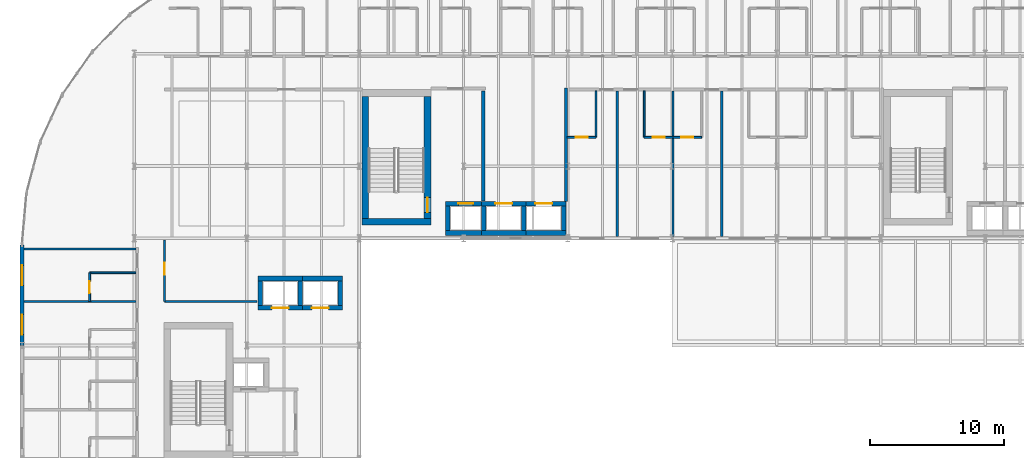
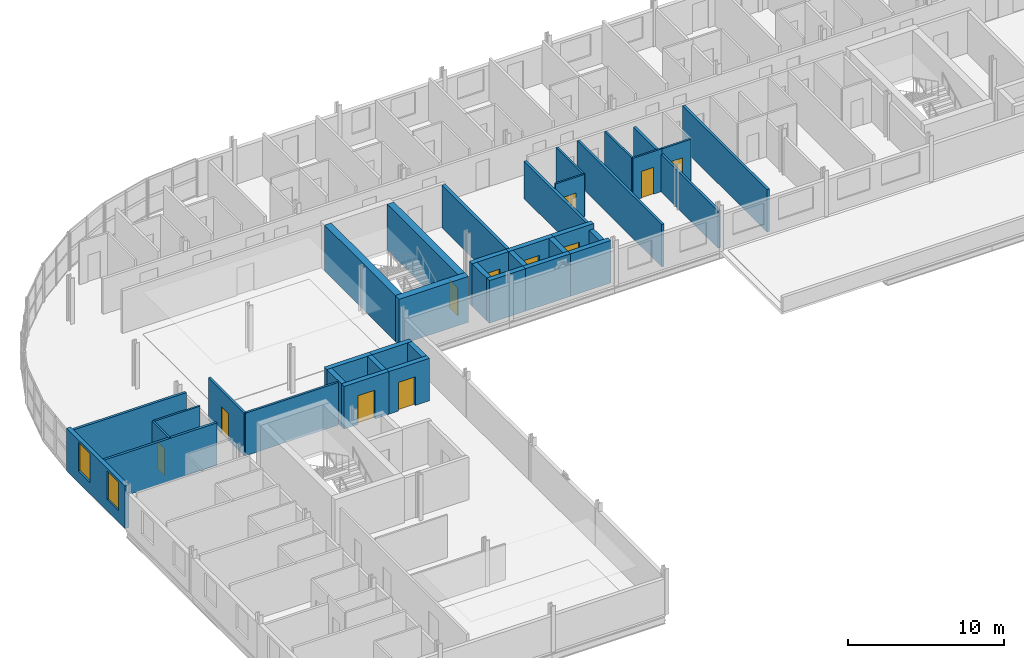
# One storey, part 22 of 36: 37 walls, 11 doors, 2 windows, 13 openings.
"""IFC4 building model written with IfcOpenShell, lengths in metres."""

from ifc_helpers import new_model, si_unit, direction, frame, frame_2d, origin, place, context, subcontext, project, spatial, rectangle, extrude, material, layer, layer_set, type_object, element, fill, save


model = new_model("IFC4")

# Units and contexts
model_context = context("Model", 3, precision=1e-05, world=origin(), true_north=direction((0.0, 1.0)))
body_context = subcontext(model_context, "Body", "Model", "MODEL_VIEW")
ifc_project = project(units=[si_unit("LENGTHUNIT", "METRE"), si_unit("AREAUNIT", "SQUARE_METRE"), si_unit("VOLUMEUNIT", "CUBIC_METRE"), si_unit("PLANEANGLEUNIT", "RADIAN"), si_unit("MASSUNIT", "GRAM", prefix="KILO")], contexts=[model_context])

# Site, building, storey
site_placement = place(None, origin())
site = spatial("IfcSite", under=ifc_project, at=site_placement, CompositionType="ELEMENT")
building_placement = place(site_placement, origin())
building = spatial("IfcBuilding", under=site, at=building_placement, Name="Sefraquen Railside Congress Hotel", CompositionType="ELEMENT")
storey_placement = place(building_placement, frame((0.0, 0.0, 24.60009765625)))
storey = spatial("IfcBuildingStorey", under=building, at=storey_placement, Name="L05", CompositionType="ELEMENT", Elevation=24.60009765625)

# Wall, opening, door
ifc_material_1 = material(Name="Concrete C50/60", Category="concrete")
ifc_layer_1 = layer(ifc_material_1, 0.35009765625)
ifc_layer_set_1 = layer_set([ifc_layer_1], Name="Concrete C50/60")
wall_type_1 = type_object("IfcWallType", Name="TW-CW-350", PredefinedType="SHEAR", material=ifc_layer_set_1)
wall_1_placement = place(storey_placement, frame((31.639892578125, 98.594970703125, 0.0), z_axis=(0.0, 0.0, 1.0), x_axis=(1.0, 0.0, 0.0)))
wall_1 = element("IfcWall", 1, at=wall_1_placement, inside=storey, type_object=wall_type_1, Name="Lift FL-02 shaft wall N L05", PredefinedType="SHEAR", context=body_context, shape_type="SweptSolid", body=[
    extrude(rectangle(XDim=2.690185546875, YDim=0.35009765625, at=frame_2d((1.34521484375, 0.0))), origin(), (0.0, 0.0, 1.0), 3.33984375),
])
opening_1_placement = place(wall_1_placement, frame((0.969970703125, 0.0, 0.0)))
opening_1 = element("IfcOpeningElement", 2, at=opening_1_placement, cuts=wall_1, Name="Opening LD-01", PredefinedType="OPENING", context=body_context, shape_type="SweptSolid", body=[
    extrude(rectangle(XDim=1.10009765625, YDim=2.199951171875, at=frame_2d((0.550048828125, 1.10009765625))), frame((0.0, 0.18505859375, 0.0), z_axis=(0.0, -1.0, 0.0), x_axis=(1.0, 0.0, 0.0)), (0.0, 0.0, 1.0), 0.3701171875),
])
ifc_material_2 = material(Name="Brushed bronze stainless steel", Category="steel")
door_type_1 = type_object("IfcDoorType", Name="TD-LD-01", OperationType="NOTDEFINED", PredefinedType="DOOR", material=ifc_material_2)
door_1_placement = place(opening_1_placement, origin())
door_1 = element("IfcDoor", 3, at=door_1_placement, inside=storey, type_object=door_type_1, Name="Lift landing door FL-02 L05", OperationType="SLIDING_TO_LEFT", OverallHeight=2.199951171875, OverallWidth=1.10009765625, PredefinedType="DOOR", context=body_context, shape_type="SweptSolid", body=[
    extrude(rectangle(XDim=1.10009765625, YDim=2.199951171875, at=frame_2d((0.550048828125, 1.10009765625))), frame((0.0, 0.02490234375, 0.0), z_axis=(0.0, -1.0, 0.0), x_axis=(1.0, 0.0, 0.0)), (0.0, 0.0, 1.0), 0.050048828125),
])
fill(opening_1, door_1)

# Walls
wall_2_placement = place(storey_placement, frame((31.639892578125, 96.405029296875, 0.0), z_axis=(0.0, 0.0, 1.0), x_axis=(1.0, 0.0, 0.0)))
element("IfcWall", 4, at=wall_2_placement, inside=storey, type_object=wall_type_1, Name="Lift FL-02 shaft wall S L05", PredefinedType="SHEAR", context=body_context, shape_type="SweptSolid", body=[
    extrude(rectangle(XDim=2.690185546875, YDim=0.35009765625, at=frame_2d((1.34521484375, 0.0))), origin(), (0.0, 0.0, 1.0), 3.33984375),
])
wall_3_placement = place(storey_placement, frame((31.81494140625, 96.580078125, 0.0), z_axis=(0.0, 0.0, 1.0), x_axis=(0.0, 1.0, 0.0)))
element("IfcWall", 5, at=wall_3_placement, inside=storey, type_object=wall_type_1, Name="Lift FL-02 shaft wall W L05", PredefinedType="SHEAR", context=body_context, shape_type="SweptSolid", body=[
    extrude(rectangle(XDim=1.83984375, YDim=0.35009765625, at=frame_2d((0.919921875, 0.0))), origin(), (0.0, 0.0, 1.0), 3.33984375),
])
wall_4_placement = place(storey_placement, frame((17.6298828125, 92.9951171875, 0.0), z_axis=(0.0, 0.0, 1.0), x_axis=(1.0, 0.0, 0.0)))
element("IfcWall", 6, at=wall_4_placement, inside=storey, type_object=wall_type_1, Name="Lift PL-01 shaft wall N L05", PredefinedType="SHEAR", context=body_context, shape_type="SweptSolid", body=[
    extrude(rectangle(XDim=3.340087890625, YDim=0.35009765625, at=frame_2d((1.669921875, 0.0))), origin(), (0.0, 0.0, 1.0), 3.33984375),
])

# Wall, opening, door
wall_5_placement = place(storey_placement, frame((17.6298828125, 90.804931640625, 0.0), z_axis=(0.0, 0.0, 1.0), x_axis=(1.0, 0.0, 0.0)))
wall_5 = element("IfcWall", 7, at=wall_5_placement, inside=storey, type_object=wall_type_1, Name="Lift PL-01 shaft wall S L05", PredefinedType="SHEAR", context=body_context, shape_type="SweptSolid", body=[
    extrude(rectangle(XDim=3.340087890625, YDim=0.35009765625, at=frame_2d((1.669921875, 0.0))), origin(), (0.0, 0.0, 1.0), 3.33984375),
])
opening_2_placement = place(wall_5_placement, frame((1.044921875, 0.0, 0.0)))
opening_2 = element("IfcOpeningElement", 8, at=opening_2_placement, cuts=wall_5, Name="Opening LD-02", PredefinedType="OPENING", context=body_context, shape_type="SweptSolid", body=[
    extrude(rectangle(XDim=1.25, YDim=2.25, at=frame_2d((0.625, 1.125))), frame((0.0, 0.18505859375, 0.0), z_axis=(0.0, -1.0, 0.0), x_axis=(1.0, 0.0, 0.0)), (0.0, 0.0, 1.0), 0.3701171875),
])
ifc_material_3 = material(Name="Brushed stainless steel", Category="steel")
door_type_2 = type_object("IfcDoorType", Name="TD-LD-02", OperationType="NOTDEFINED", PredefinedType="DOOR", material=ifc_material_3)
door_2_placement = place(opening_2_placement, origin())
door_2 = element("IfcDoor", 9, at=door_2_placement, inside=storey, type_object=door_type_2, Name="Lift landing door PL-01 L05", OperationType="SLIDING_TO_LEFT", OverallHeight=2.25, OverallWidth=1.25, PredefinedType="DOOR", context=body_context, shape_type="SweptSolid", body=[
    extrude(rectangle(XDim=1.25, YDim=2.25, at=frame_2d((0.625, 1.125))), frame((0.0, 0.02490234375, 0.0), z_axis=(0.0, -1.0, 0.0), x_axis=(1.0, 0.0, 0.0)), (0.0, 0.0, 1.0), 0.050048828125),
])
fill(opening_2, door_2)

# Walls
for number, where, z_axis, x_axis, name in (
    (10, (17.804931640625, 90.97998046875, 0.0), (0.0, 0.0, 1.0), (0.0, 1.0, 0.0), "Lift PL-01 shaft wall W L05"),
    (11, (20.794921875, 90.97998046875, 0.0), (0.0, 0.0, 1.0), (0.0, 1.0, 0.0), "Lift PL-01 shaft wall E L05"),
):
    element("IfcWall", number, at=place(storey_placement, frame(where, z_axis=z_axis, x_axis=x_axis)), inside=storey, type_object=wall_type_1, Name=name, PredefinedType="SHEAR", context=body_context, shape_type="SweptSolid", body=[
        extrude(rectangle(XDim=1.840087890625, YDim=0.35009765625, at=frame_2d((0.919921875, 0.0))), origin(), (0.0, 0.0, 1.0), 3.33984375),
    ])
wall_6_placement = place(storey_placement, frame((20.969970703125, 92.9951171875, 0.0), z_axis=(0.0, 0.0, 1.0), x_axis=(1.0, 0.0, 0.0)))
element("IfcWall", 12, at=wall_6_placement, inside=storey, type_object=wall_type_1, Name="Lift PL-02 shaft wall N L05", PredefinedType="SHEAR", context=body_context, shape_type="SweptSolid", body=[
    extrude(rectangle(XDim=2.989990234375, YDim=0.35009765625, at=frame_2d((1.4951171875, 0.0))), origin(), (0.0, 0.0, 1.0), 3.33984375),
])

# Wall, opening, door
wall_7_placement = place(storey_placement, frame((20.969970703125, 90.804931640625, 0.0), z_axis=(0.0, 0.0, 1.0), x_axis=(1.0, 0.0, 0.0)))
wall_7 = element("IfcWall", 13, at=wall_7_placement, inside=storey, type_object=wall_type_1, Name="Lift PL-02 shaft wall S L05", PredefinedType="SHEAR", context=body_context, shape_type="SweptSolid", body=[
    extrude(rectangle(XDim=2.989990234375, YDim=0.35009765625, at=frame_2d((1.4951171875, 0.0))), origin(), (0.0, 0.0, 1.0), 3.33984375),
])
opening_3_placement = place(wall_7_placement, frame((0.695068359375, 0.0, 0.0)))
opening_3 = element("IfcOpeningElement", 14, at=opening_3_placement, cuts=wall_7, Name="Opening LD-02", PredefinedType="OPENING", context=body_context, shape_type="SweptSolid", body=[
    extrude(rectangle(XDim=1.25, YDim=2.25, at=frame_2d((0.625, 1.125))), frame((0.0, 0.18505859375, 0.0), z_axis=(0.0, -1.0, 0.0), x_axis=(1.0, 0.0, 0.0)), (0.0, 0.0, 1.0), 0.3701171875),
])
door_3_placement = place(opening_3_placement, origin())
door_3 = element("IfcDoor", 15, at=door_3_placement, inside=storey, type_object=door_type_2, Name="Lift landing door PL-02 L05", OperationType="SLIDING_TO_LEFT", OverallHeight=2.25, OverallWidth=1.25, PredefinedType="DOOR", context=body_context, shape_type="SweptSolid", body=[
    extrude(rectangle(XDim=1.25, YDim=2.25, at=frame_2d((0.625, 1.125))), frame((0.0, 0.02490234375, 0.0), z_axis=(0.0, -1.0, 0.0), x_axis=(1.0, 0.0, 0.0)), (0.0, 0.0, 1.0), 0.050048828125),
])
fill(opening_3, door_3)

# Wall
wall_8_placement = place(storey_placement, frame((23.784912109375, 90.97998046875, 0.0), z_axis=(0.0, 0.0, 1.0), x_axis=(0.0, 1.0, 0.0)))
element("IfcWall", 16, at=wall_8_placement, inside=storey, type_object=wall_type_1, Name="Lift PL-02 shaft wall E L05", PredefinedType="SHEAR", context=body_context, shape_type="SweptSolid", body=[
    extrude(rectangle(XDim=1.840087890625, YDim=0.35009765625, at=frame_2d((0.919921875, 0.0))), origin(), (0.0, 0.0, 1.0), 3.33984375),
])

# Wall, opening, door
wall_9_placement = place(storey_placement, frame((34.330078125, 98.594970703125, 0.0), z_axis=(0.0, 0.0, 1.0), x_axis=(1.0, 0.0, 0.0)))
wall_9 = element("IfcWall", 17, at=wall_9_placement, inside=storey, type_object=wall_type_1, Name="Lift PL-03 shaft wall N L05", PredefinedType="SHEAR", context=body_context, shape_type="SweptSolid", body=[
    extrude(rectangle(XDim=3.33984375, YDim=0.35009765625, at=frame_2d((1.669921875, 0.0))), origin(), (0.0, 0.0, 1.0), 3.33984375),
])
opening_4_placement = place(wall_9_placement, frame((1.044921875, 0.0, 0.0)))
opening_4 = element("IfcOpeningElement", 18, at=opening_4_placement, cuts=wall_9, Name="Opening LD-02", PredefinedType="OPENING", context=body_context, shape_type="SweptSolid", body=[
    extrude(rectangle(XDim=1.25, YDim=2.25, at=frame_2d((0.625, 1.125))), frame((0.0, 0.18505859375, 0.0), z_axis=(0.0, -1.0, 0.0), x_axis=(1.0, 0.0, 0.0)), (0.0, 0.0, 1.0), 0.3701171875),
])
door_4_placement = place(opening_4_placement, origin())
door_4 = element("IfcDoor", 19, at=door_4_placement, inside=storey, type_object=door_type_2, Name="Lift landing door PL-03 L05", OperationType="SLIDING_TO_LEFT", OverallHeight=2.25, OverallWidth=1.25, PredefinedType="DOOR", context=body_context, shape_type="SweptSolid", body=[
    extrude(rectangle(XDim=1.25, YDim=2.25, at=frame_2d((0.625, 1.125))), frame((0.0, 0.02490234375, 0.0), z_axis=(0.0, -1.0, 0.0), x_axis=(1.0, 0.0, 0.0)), (0.0, 0.0, 1.0), 0.050048828125),
])
fill(opening_4, door_4)

# Walls
wall_10_placement = place(storey_placement, frame((34.330078125, 96.405029296875, 0.0), z_axis=(0.0, 0.0, 1.0), x_axis=(1.0, 0.0, 0.0)))
element("IfcWall", 20, at=wall_10_placement, inside=storey, type_object=wall_type_1, Name="Lift PL-03 shaft wall S L05", PredefinedType="SHEAR", context=body_context, shape_type="SweptSolid", body=[
    extrude(rectangle(XDim=3.33984375, YDim=0.35009765625, at=frame_2d((1.669921875, 0.0))), origin(), (0.0, 0.0, 1.0), 3.33984375),
])
for number, where, z_axis, x_axis, name in (
    (21, (34.5048828125, 96.580078125, 0.0), (0.0, 0.0, 1.0), (0.0, 1.0, 0.0), "Lift PL-03 shaft wall W L05"),
    (22, (37.4951171875, 96.580078125, 0.0), (0.0, 0.0, 1.0), (0.0, 1.0, 0.0), "Lift PL-03 shaft wall E L05"),
):
    element("IfcWall", number, at=place(storey_placement, frame(where, z_axis=z_axis, x_axis=x_axis)), inside=storey, type_object=wall_type_1, Name=name, PredefinedType="SHEAR", context=body_context, shape_type="SweptSolid", body=[
        extrude(rectangle(XDim=1.83984375, YDim=0.35009765625, at=frame_2d((0.919921875, 0.0))), origin(), (0.0, 0.0, 1.0), 3.33984375),
    ])

# Wall, opening, door
wall_11_placement = place(storey_placement, frame((37.669921875, 98.594970703125, 0.0), z_axis=(0.0, 0.0, 1.0), x_axis=(1.0, 0.0, 0.0)))
wall_11 = element("IfcWall", 23, at=wall_11_placement, inside=storey, type_object=wall_type_1, Name="Lift PL-04 shaft wall N L05", PredefinedType="SHEAR", context=body_context, shape_type="SweptSolid", body=[
    extrude(rectangle(XDim=2.989990234375, YDim=0.35009765625, at=frame_2d((1.4951171875, 0.0))), origin(), (0.0, 0.0, 1.0), 3.33984375),
])
opening_5_placement = place(wall_11_placement, frame((0.695068359375, 0.0, 0.0)))
opening_5 = element("IfcOpeningElement", 24, at=opening_5_placement, cuts=wall_11, Name="Opening LD-02", PredefinedType="OPENING", context=body_context, shape_type="SweptSolid", body=[
    extrude(rectangle(XDim=1.25, YDim=2.25, at=frame_2d((0.625, 1.125))), frame((0.0, 0.18505859375, 0.0), z_axis=(0.0, -1.0, 0.0), x_axis=(1.0, 0.0, 0.0)), (0.0, 0.0, 1.0), 0.3701171875),
])
door_5_placement = place(opening_5_placement, origin())
door_5 = element("IfcDoor", 25, at=door_5_placement, inside=storey, type_object=door_type_2, Name="Lift landing door PL-04 L05", OperationType="SLIDING_TO_LEFT", OverallHeight=2.25, OverallWidth=1.25, PredefinedType="DOOR", context=body_context, shape_type="SweptSolid", body=[
    extrude(rectangle(XDim=1.25, YDim=2.25, at=frame_2d((0.625, 1.125))), frame((0.0, 0.02490234375, 0.0), z_axis=(0.0, -1.0, 0.0), x_axis=(1.0, 0.0, 0.0)), (0.0, 0.0, 1.0), 0.050048828125),
])
fill(opening_5, door_5)

# Walls
wall_12_placement = place(storey_placement, frame((37.669921875, 96.405029296875, 0.0), z_axis=(0.0, 0.0, 1.0), x_axis=(1.0, 0.0, 0.0)))
element("IfcWall", 26, at=wall_12_placement, inside=storey, type_object=wall_type_1, Name="Lift PL-04 shaft wall S L05", PredefinedType="SHEAR", context=body_context, shape_type="SweptSolid", body=[
    extrude(rectangle(XDim=2.989990234375, YDim=0.35009765625, at=frame_2d((1.4951171875, 0.0))), origin(), (0.0, 0.0, 1.0), 3.33984375),
])
wall_13_placement = place(storey_placement, frame((40.485107421875, 96.580078125, 0.0), z_axis=(0.0, 0.0, 1.0), x_axis=(0.0, 1.0, 0.0)))
element("IfcWall", 27, at=wall_13_placement, inside=storey, type_object=wall_type_1, Name="Lift PL-04 shaft wall E L05", PredefinedType="SHEAR", context=body_context, shape_type="SweptSolid", body=[
    extrude(rectangle(XDim=1.83984375, YDim=0.35009765625, at=frame_2d((0.919921875, 0.0))), origin(), (0.0, 0.0, 1.0), 2.929931640625),
])
ifc_layer_2 = layer(ifc_material_1, 0.5)
ifc_layer_set_2 = layer_set([ifc_layer_2], Name="Concrete C50/60")
wall_type_2 = type_object("IfcWallType", Name="TW-CW-500", PredefinedType="SHEAR", material=ifc_layer_set_2)
wall_14_placement = place(storey_placement, frame((25.39990234375, 97.25, 0.0), z_axis=(0.0, 0.0, 1.0), x_axis=(1.0, 0.0, 0.0)))
element("IfcWall", 28, at=wall_14_placement, inside=storey, type_object=wall_type_2, Name="Core shear wall ST-H02 S L05", PredefinedType="SHEAR", context=body_context, shape_type="SweptSolid", body=[
    extrude(rectangle(XDim=5.16015625, YDim=0.5, at=frame_2d((2.580078125, 0.0))), origin(), (0.0, 0.0, 1.0), 3.599853515625),
])
wall_15_placement = place(storey_placement, frame((25.64990234375, 97.5, 0.0), z_axis=(0.0, 0.0, 1.0), x_axis=(0.0, 1.0, 0.0)))
element("IfcWall", 29, at=wall_15_placement, inside=storey, type_object=wall_type_2, Name="Core shear wall ST-H02 W L05", PredefinedType="SHEAR", context=body_context, shape_type="SweptSolid", body=[
    extrude(rectangle(XDim=9.112060546875, YDim=0.5, at=frame_2d((4.55615234375, 0.0))), origin(), (0.0, 0.0, 1.0), 3.599853515625),
])

# Wall, opening, door
wall_16_placement = place(storey_placement, frame((30.31005859375, 97.5, 0.0), z_axis=(0.0, 0.0, 1.0), x_axis=(0.0, 1.0, 0.0)))
wall_16 = element("IfcWall", 30, at=wall_16_placement, inside=storey, type_object=wall_type_2, Name="Core shear wall ST-H02 E L05", PredefinedType="SHEAR", context=body_context, shape_type="SweptSolid", body=[
    extrude(rectangle(XDim=9.112060546875, YDim=0.5, at=frame_2d((4.55615234375, 0.0))), origin(), (0.0, 0.0, 1.0), 3.599853515625),
])
opening_6_placement = place(wall_16_placement, frame((0.43994140625, 0.0, 0.0)))
opening_6 = element("IfcOpeningElement", 31, at=opening_6_placement, cuts=wall_16, Name="Opening FD-04", PredefinedType="OPENING", context=body_context, shape_type="SweptSolid", body=[
    extrude(rectangle(XDim=1.10009765625, YDim=2.199951171875, at=frame_2d((0.550048828125, 1.10009765625))), frame((0.0, 0.260009765625, 0.0), z_axis=(0.0, -1.0, 0.0), x_axis=(1.0, 0.0, 0.0)), (0.0, 0.0, 1.0), 0.52001953125),
])
ifc_material_4 = material(Name="Fire-rated steel", Category="steel")
door_type_3 = type_object("IfcDoorType", Name="TD-FD-04", OperationType="NOTDEFINED", PredefinedType="DOOR", material=ifc_material_4)
door_6_placement = place(opening_6_placement, origin())
door_6 = element("IfcDoor", 32, at=door_6_placement, inside=storey, type_object=door_type_3, Name="Pressurized stair ST-H02 fire door L05", OperationType="SINGLE_SWING_LEFT", OverallHeight=2.199951171875, OverallWidth=1.10009765625, PredefinedType="DOOR", context=body_context, shape_type="SweptSolid", body=[
    extrude(rectangle(XDim=1.10009765625, YDim=2.199951171875, at=frame_2d((0.550048828125, 1.10009765625))), frame((0.0, 0.02490234375, 0.0), z_axis=(0.0, -1.0, 0.0), x_axis=(1.0, 0.0, 0.0)), (0.0, 0.0, 1.0), 0.050048828125),
])
fill(opening_6, door_6)

# Wall, openings, windows
ifc_material_5 = material(Name="Ochre Rabat calcarenite limestone and Concrete C40/50 backing", Category="masonry")
ifc_layer_3 = layer(ifc_material_5, 0.300048828125)
ifc_layer_set_3 = layer_set([ifc_layer_3], Name="Ochre Rabat calcarenite limestone and Concrete C40/50 backing")
wall_type_3 = type_object("IfcWallType", Name="TW-EW-300", PredefinedType="STANDARD", material=ifc_layer_set_3)
wall_17_placement = place(storey_placement, frame((0.0, 88.0, 0.0), z_axis=(0.0, 0.0, 1.0), x_axis=(0.0, 1.0, 0.0)))
wall_17 = element("IfcWall", 33, at=wall_17_placement, inside=storey, type_object=wall_type_3, Name="Hotel L05 West Forecourt facade wall", PredefinedType="STANDARD", context=body_context, shape_type="SweptSolid", body=[
    extrude(rectangle(XDim=7.5, YDim=0.300048828125, at=frame_2d((3.75, 0.0))), origin(), (0.0, 0.0, 1.0), 3.33984375),
])
opening_7_placement = place(wall_17_placement, frame((0.805908203125, 0.0, 0.89990234375)))
opening_7 = element("IfcOpeningElement", 34, at=opening_7_placement, cuts=wall_17, Name="Opening WN-17", PredefinedType="OPENING", context=body_context, shape_type="SweptSolid", body=[
    extrude(rectangle(XDim=1.5, YDim=2.260009765625, at=frame_2d((0.75, 1.1298828125))), frame((0.0, 0.159912109375, 0.0), z_axis=(0.0, -1.0, 0.0), x_axis=(1.0, 0.0, 0.0)), (0.0, 0.0, 1.0), 0.320068359375),
])
opening_8_placement = place(wall_17_placement, frame((4.488037109375, 0.0, 0.89990234375)))
opening_8 = element("IfcOpeningElement", 35, at=opening_8_placement, cuts=wall_17, Name="Opening WN-18", PredefinedType="OPENING", context=body_context, shape_type="SweptSolid", body=[
    extrude(rectangle(XDim=1.5, YDim=2.260009765625, at=frame_2d((0.75, 1.1298828125))), frame((0.0, 0.159912109375, 0.0), z_axis=(0.0, -1.0, 0.0), x_axis=(1.0, 0.0, 0.0)), (0.0, 0.0, 1.0), 0.320068359375),
])
ifc_material_6 = material(Name="Solar-control low-E double glazing in bronze-anodised frame", Category="glass")
window_type_1 = type_object("IfcWindowType", Name="TWN-W-17", PartitioningType="DOUBLE_PANEL_VERTICAL", PredefinedType="WINDOW", material=ifc_material_6)
window_1_placement = place(opening_7_placement, origin())
window_1 = element("IfcWindow", 36, at=window_1_placement, inside=storey, type_object=window_type_1, Name="Guest room west window SP-L05-RM-046", OverallHeight=2.260009765625, OverallWidth=1.5, PartitioningType="DOUBLE_PANEL_VERTICAL", PredefinedType="WINDOW", context=body_context, shape_type="SweptSolid", body=[
    extrude(rectangle(XDim=1.5, YDim=2.260009765625, at=frame_2d((0.75, 1.1298828125))), frame((0.0, 0.030029296875, 0.0), z_axis=(0.0, -1.0, 0.0), x_axis=(1.0, 0.0, 0.0)), (0.0, 0.0, 1.0), 0.06005859375),
])
fill(opening_7, window_1)
window_type_2 = type_object("IfcWindowType", Name="TWN-W-18", PartitioningType="DOUBLE_PANEL_VERTICAL", PredefinedType="WINDOW", material=ifc_material_6)
window_2_placement = place(opening_8_placement, origin())
window_2 = element("IfcWindow", 37, at=window_2_placement, inside=storey, type_object=window_type_2, Name="Guest room west window SP-L05-RM-047", OverallHeight=2.260009765625, OverallWidth=1.5, PartitioningType="DOUBLE_PANEL_VERTICAL", PredefinedType="WINDOW", context=body_context, shape_type="SweptSolid", body=[
    extrude(rectangle(XDim=1.5, YDim=2.260009765625, at=frame_2d((0.75, 1.1298828125))), frame((0.0, 0.030029296875, 0.0), z_axis=(0.0, -1.0, 0.0), x_axis=(1.0, 0.0, 0.0)), (0.0, 0.0, 1.0), 0.06005859375),
])
fill(opening_8, window_2)

# Walls
ifc_material_7 = material(Name="Concrete C40/50", Category="concrete")
ifc_layer_4 = layer(ifc_material_7, 0.239990234375)
ifc_layer_set_4 = layer_set([ifc_layer_4], Name="Concrete C40/50")
wall_type_4 = type_object("IfcWallType", Name="TW-FW-240", PredefinedType="STANDARD", material=ifc_layer_set_4)
wall_18_placement = place(storey_placement, frame((34.47998046875, 98.780029296875, 0.0), z_axis=(0.0, 0.0, 1.0), x_axis=(0.0, 1.0, 0.0)))
element("IfcWall", 38, at=wall_18_placement, inside=storey, type_object=wall_type_4, Name="Firefighting Lift Lobby FFL-02 east fire wall L05", PredefinedType="STANDARD", context=body_context, shape_type="SweptSolid", body=[
    extrude(rectangle(XDim=8.239990234375, YDim=0.239990234375, at=frame_2d((4.1201171875, 0.0))), origin(), (0.0, 0.0, 1.0), 3.33984375),
])
ifc_material_8 = material(Name="Moisture-resistant gypsum board", Category="gypsum")
ifc_layer_5 = layer(ifc_material_8, 0.139892578125)
ifc_layer_set_5 = layer_set([ifc_layer_5], Name="Moisture-resistant gypsum board")
wall_type_5 = type_object("IfcWallType", Name="TW-PW-140", PredefinedType="PARTITIONING", material=ifc_layer_set_5)
wall_19_placement = place(storey_placement, frame((42.89990234375, 103.550048828125, 0.0), z_axis=(0.0, 0.0, 1.0), x_axis=(0.0, 1.0, 0.0)))
element("IfcWall", 39, at=wall_19_placement, inside=storey, type_object=wall_type_5, Name="En-suite bathroom east wall RM-024", PredefinedType="PARTITIONING", context=body_context, shape_type="SweptSolid", body=[
    extrude(rectangle(XDim=3.469970703125, YDim=0.139892578125, at=frame_2d((1.73486328125, 0.0))), origin(), (0.0, 0.0, 1.0), 3.33984375),
])

# Wall, opening, door
wall_20_placement = place(storey_placement, frame((40.75, 103.550048828125, 0.0), z_axis=(0.0, 0.0, 1.0), x_axis=(1.0, 0.0, 0.0)))
wall_20 = element("IfcWall", 40, at=wall_20_placement, inside=storey, type_object=wall_type_5, Name="En-suite bathroom south wall RM-024", PredefinedType="PARTITIONING", context=body_context, shape_type="SweptSolid", body=[
    extrude(rectangle(XDim=2.14990234375, YDim=0.139892578125, at=frame_2d((1.074951171875, 0.0))), origin(), (0.0, 0.0, 1.0), 3.33984375),
])
opening_9_placement = place(wall_20_placement, frame((0.625, 0.0, 0.0)))
opening_9 = element("IfcOpeningElement", 41, at=opening_9_placement, cuts=wall_20, Name="Opening ID-02", PredefinedType="OPENING", context=body_context, shape_type="SweptSolid", body=[
    extrude(rectangle(XDim=0.89990234375, YDim=2.10009765625, at=frame_2d((0.449951171875, 1.050048828125))), frame((0.0, 0.079833984375, 0.0), z_axis=(0.0, -1.0, 0.0), x_axis=(1.0, 0.0, 0.0)), (0.0, 0.0, 1.0), 0.159912109375),
])
ifc_material_9 = material(Name="Lacquered cedar joinery", Category="wood")
door_type_4 = type_object("IfcDoorType", Name="TD-ID-02", OperationType="NOTDEFINED", PredefinedType="DOOR", material=ifc_material_9)
door_7_placement = place(opening_9_placement, frame((0.89990234375, 0.0, 0.0), z_axis=(0.0, 0.0, 1.0), x_axis=(-1.0, 0.0, 0.0)))
door_7 = element("IfcDoor", 42, at=door_7_placement, inside=storey, type_object=door_type_4, Name="En-suite bathroom door RM-024", OperationType="SINGLE_SWING_LEFT", OverallHeight=2.10009765625, OverallWidth=0.89990234375, PredefinedType="DOOR", context=body_context, shape_type="SweptSolid", body=[
    extrude(rectangle(XDim=0.89990234375, YDim=2.10009765625, at=frame_2d((0.449951171875, 1.050048828125))), frame((0.0, 0.02490234375, 0.0), z_axis=(0.0, -1.0, 0.0), x_axis=(1.0, 0.0, 0.0)), (0.0, 0.0, 1.0), 0.050048828125),
])
fill(opening_9, door_7)

# Wall
wall_21_placement = place(storey_placement, frame((46.507080078125, 103.550048828125, 0.0), z_axis=(0.0, 0.0, 1.0), x_axis=(0.0, 1.0, 0.0)))
element("IfcWall", 43, at=wall_21_placement, inside=storey, type_object=wall_type_5, Name="En-suite bathroom west wall RM-025", PredefinedType="PARTITIONING", context=body_context, shape_type="SweptSolid", body=[
    extrude(rectangle(XDim=3.469970703125, YDim=0.139892578125, at=frame_2d((1.73486328125, 0.0))), origin(), (0.0, 0.0, 1.0), 3.33984375),
])

# Wall, opening, door
wall_22_placement = place(storey_placement, frame((46.507080078125, 103.550048828125, 0.0), z_axis=(0.0, 0.0, 1.0), x_axis=(1.0, 0.0, 0.0)))
wall_22 = element("IfcWall", 44, at=wall_22_placement, inside=storey, type_object=wall_type_5, Name="En-suite bathroom south wall RM-025", PredefinedType="PARTITIONING", context=body_context, shape_type="SweptSolid", body=[
    extrude(rectangle(XDim=2.14990234375, YDim=0.139892578125, at=frame_2d((1.074951171875, 0.0))), origin(), (0.0, 0.0, 1.0), 3.33984375),
])
opening_10_placement = place(wall_22_placement, frame((0.625, 0.0, 0.0)))
opening_10 = element("IfcOpeningElement", 45, at=opening_10_placement, cuts=wall_22, Name="Opening ID-02", PredefinedType="OPENING", context=body_context, shape_type="SweptSolid", body=[
    extrude(rectangle(XDim=0.89990234375, YDim=2.10009765625, at=frame_2d((0.449951171875, 1.050048828125))), frame((0.0, 0.079833984375, 0.0), z_axis=(0.0, -1.0, 0.0), x_axis=(1.0, 0.0, 0.0)), (0.0, 0.0, 1.0), 0.159912109375),
])
door_8_placement = place(opening_10_placement, frame((0.89990234375, 0.0, 0.0), z_axis=(0.0, 0.0, 1.0), x_axis=(-1.0, 0.0, 0.0)))
door_8 = element("IfcDoor", 46, at=door_8_placement, inside=storey, type_object=door_type_4, Name="En-suite bathroom door RM-025", OperationType="SINGLE_SWING_LEFT", OverallHeight=2.10009765625, OverallWidth=0.89990234375, PredefinedType="DOOR", context=body_context, shape_type="SweptSolid", body=[
    extrude(rectangle(XDim=0.89990234375, YDim=2.10009765625, at=frame_2d((0.449951171875, 1.050048828125))), frame((0.0, 0.02490234375, 0.0), z_axis=(0.0, -1.0, 0.0), x_axis=(1.0, 0.0, 0.0)), (0.0, 0.0, 1.0), 0.050048828125),
])
fill(opening_10, door_8)

wall_23_placement = place(storey_placement, frame((48.656982421875, 103.550048828125, 0.0), z_axis=(0.0, 0.0, 1.0), x_axis=(1.0, 0.0, 0.0)))
wall_23 = element("IfcWall", 47, at=wall_23_placement, inside=storey, type_object=wall_type_5, Name="En-suite bathroom south wall RM-026", PredefinedType="PARTITIONING", context=body_context, shape_type="SweptSolid", body=[
    extrude(rectangle(XDim=2.14990234375, YDim=0.139892578125, at=frame_2d((1.074951171875, 0.0))), origin(), (0.0, 0.0, 1.0), 3.33984375),
])
opening_11_placement = place(wall_23_placement, frame((0.625, 0.0, 0.0)))
opening_11 = element("IfcOpeningElement", 48, at=opening_11_placement, cuts=wall_23, Name="Opening ID-02", PredefinedType="OPENING", context=body_context, shape_type="SweptSolid", body=[
    extrude(rectangle(XDim=0.89990234375, YDim=2.10009765625, at=frame_2d((0.449951171875, 1.050048828125))), frame((0.0, 0.079833984375, 0.0), z_axis=(0.0, -1.0, 0.0), x_axis=(1.0, 0.0, 0.0)), (0.0, 0.0, 1.0), 0.159912109375),
])
door_9_placement = place(opening_11_placement, frame((0.89990234375, 0.0, 0.0), z_axis=(0.0, 0.0, 1.0), x_axis=(-1.0, 0.0, 0.0)))
door_9 = element("IfcDoor", 49, at=door_9_placement, inside=storey, type_object=door_type_4, Name="En-suite bathroom door RM-026", OperationType="SINGLE_SWING_LEFT", OverallHeight=2.10009765625, OverallWidth=0.89990234375, PredefinedType="DOOR", context=body_context, shape_type="SweptSolid", body=[
    extrude(rectangle(XDim=0.89990234375, YDim=2.10009765625, at=frame_2d((0.449951171875, 1.050048828125))), frame((0.0, 0.02490234375, 0.0), z_axis=(0.0, -1.0, 0.0), x_axis=(1.0, 0.0, 0.0)), (0.0, 0.0, 1.0), 0.050048828125),
])
fill(opening_11, door_9)

# Wall
wall_24_placement = place(storey_placement, frame((5.050048828125, 93.426025390625, 0.0), z_axis=(0.0, 0.0, 1.0), x_axis=(1.0, 0.0, 0.0)))
element("IfcWall", 50, at=wall_24_placement, inside=storey, type_object=wall_type_5, Name="West en-suite bathroom north wall RM-047", PredefinedType="PARTITIONING", context=body_context, shape_type="SweptSolid", body=[
    extrude(rectangle(XDim=3.469970703125, YDim=0.139892578125, at=frame_2d((1.73486328125, 0.0))), origin(), (0.0, 0.0, 1.0), 3.33984375),
])

# Wall, opening, door
wall_25_placement = place(storey_placement, frame((5.050048828125, 91.27587890625, 0.0), z_axis=(0.0, 0.0, 1.0), x_axis=(0.0, 1.0, 0.0)))
wall_25 = element("IfcWall", 51, at=wall_25_placement, inside=storey, type_object=wall_type_5, Name="West en-suite bathroom west wall RM-047", PredefinedType="PARTITIONING", context=body_context, shape_type="SweptSolid", body=[
    extrude(rectangle(XDim=2.150146484375, YDim=0.139892578125, at=frame_2d((1.0751953125, 0.0))), origin(), (0.0, 0.0, 1.0), 3.33984375),
])
opening_12_placement = place(wall_25_placement, frame((0.625, 0.0, 0.0)))
opening_12 = element("IfcOpeningElement", 52, at=opening_12_placement, cuts=wall_25, Name="Opening ID-02", PredefinedType="OPENING", context=body_context, shape_type="SweptSolid", body=[
    extrude(rectangle(XDim=0.89990234375, YDim=2.10009765625, at=frame_2d((0.449951171875, 1.050048828125))), frame((0.0, 0.079833984375, 0.0), z_axis=(0.0, -1.0, 0.0), x_axis=(1.0, 0.0, 0.0)), (0.0, 0.0, 1.0), 0.159912109375),
])
door_10_placement = place(opening_12_placement, frame((0.89990234375, 0.0, 0.0), z_axis=(0.0, 0.0, 1.0), x_axis=(-1.0, 0.0, 0.0)))
door_10 = element("IfcDoor", 53, at=door_10_placement, inside=storey, type_object=door_type_4, Name="En-suite bathroom door RM-047", OperationType="SINGLE_SWING_LEFT", OverallHeight=2.10009765625, OverallWidth=0.89990234375, PredefinedType="DOOR", context=body_context, shape_type="SweptSolid", body=[
    extrude(rectangle(XDim=0.89990234375, YDim=2.10009765625, at=frame_2d((0.449951171875, 1.050048828125))), frame((0.0, 0.02490234375, 0.0), z_axis=(0.0, -1.0, 0.0), x_axis=(1.0, 0.0, 0.0)), (0.0, 0.0, 1.0), 0.050048828125),
])
fill(opening_12, door_10)

ifc_layer_6 = layer(ifc_material_8, 0.159912109375)
ifc_layer_set_6 = layer_set([ifc_layer_6], Name="Moisture-resistant gypsum board")
wall_type_6 = type_object("IfcWallType", Name="TW-PW-160", PredefinedType="PARTITIONING", material=ifc_layer_set_6)
wall_26_placement = place(storey_placement, frame((10.64990234375, 91.280029296875, 0.0), z_axis=(0.0, 0.0, 1.0), x_axis=(0.0, 1.0, 0.0)))
wall_26 = element("IfcWall", 54, at=wall_26_placement, inside=storey, type_object=wall_type_6, Name="Hotel L05 west-return corridor E2 partition", PredefinedType="PARTITIONING", context=body_context, shape_type="SweptSolid", body=[
    extrude(rectangle(XDim=4.580078125, YDim=0.159912109375, at=frame_2d((2.2900390625, 0.0))), origin(), (0.0, 0.0, 1.0), 3.33984375),
])
opening_13_placement = place(wall_26_placement, frame((2.0, 0.0, 0.0)))
opening_13 = element("IfcOpeningElement", 55, at=opening_13_placement, cuts=wall_26, Name="Opening ID-02", PredefinedType="OPENING", context=body_context, shape_type="SweptSolid", body=[
    extrude(rectangle(XDim=0.89990234375, YDim=2.10009765625, at=frame_2d((0.449951171875, 1.050048828125))), frame((0.0, 0.08984375, 0.0), z_axis=(0.0, -1.0, 0.0), x_axis=(1.0, 0.0, 0.0)), (0.0, 0.0, 1.0), 0.179931640625),
])
door_11_placement = place(opening_13_placement, origin())
door_11 = element("IfcDoor", 56, at=door_11_placement, inside=storey, type_object=door_type_4, Name="Hotel floor Staff WC door L05", OperationType="SINGLE_SWING_RIGHT", OverallHeight=2.10009765625, OverallWidth=0.89990234375, PredefinedType="DOOR", context=body_context, shape_type="SweptSolid", body=[
    extrude(rectangle(XDim=0.89990234375, YDim=2.10009765625, at=frame_2d((0.449951171875, 1.050048828125))), frame((0.0, 0.02490234375, 0.0), z_axis=(0.0, -1.0, 0.0), x_axis=(1.0, 0.0, 0.0)), (0.0, 0.0, 1.0), 0.050048828125),
])
fill(opening_13, door_11)

# Walls
wall_27_placement = place(storey_placement, frame((10.64990234375, 91.280029296875, 0.0), z_axis=(0.0, 0.0, 1.0), x_axis=(1.0, 0.0, 0.0)))
element("IfcWall", 57, at=wall_27_placement, inside=storey, type_object=wall_type_6, Name="Hotel L05 staff WC south enclosure partition", PredefinedType="PARTITIONING", context=body_context, shape_type="SweptSolid", body=[
    extrude(rectangle(XDim=6.900146484375, YDim=0.159912109375, at=frame_2d((3.4501953125, 0.0))), origin(), (0.0, 0.0, 1.0), 3.33984375),
])
ifc_material_10 = material(Name="Acoustic gypsum board on metal stud", Category="gypsum")
ifc_layer_7 = layer(ifc_material_10, 0.179931640625)
ifc_layer_set_7 = layer_set([ifc_layer_7], Name="Acoustic gypsum board on metal stud")
wall_type_7 = type_object("IfcWallType", Name="TW-PW-180", PredefinedType="PARTITIONING", material=ifc_layer_set_7)
wall_28_placement = place(storey_placement, frame((44.47802734375, 96.139892578125, 0.0), z_axis=(0.0, 0.0, 1.0), x_axis=(0.0, 1.0, 0.0)))
element("IfcWall", 58, at=wall_28_placement, inside=storey, type_object=wall_type_7, Name="South guest room demising wall RM-024", PredefinedType="PARTITIONING", context=body_context, shape_type="SweptSolid", body=[
    extrude(rectangle(XDim=10.880126953125, YDim=0.179931640625, at=frame_2d((5.43994140625, 0.0))), origin(), (0.0, 0.0, 1.0), 3.33984375),
])
wall_29_placement = place(storey_placement, frame((48.656982421875, 96.139892578125, 0.0), z_axis=(0.0, 0.0, 1.0), x_axis=(0.0, 1.0, 0.0)))
element("IfcWall", 59, at=wall_29_placement, inside=storey, type_object=wall_type_7, Name="South guest room demising wall RM-025", PredefinedType="PARTITIONING", context=body_context, shape_type="SweptSolid", body=[
    extrude(rectangle(XDim=10.880126953125, YDim=0.179931640625, at=frame_2d((5.43994140625, 0.0))), origin(), (0.0, 0.0, 1.0), 2.929931640625),
])
wall_30_placement = place(storey_placement, frame((52.294921875, 96.139892578125, 0.0), z_axis=(0.0, 0.0, 1.0), x_axis=(0.0, 1.0, 0.0)))
element("IfcWall", 60, at=wall_30_placement, inside=storey, type_object=wall_type_7, Name="South guest room demising wall RM-026", PredefinedType="PARTITIONING", context=body_context, shape_type="SweptSolid", body=[
    extrude(rectangle(XDim=10.880126953125, YDim=0.179931640625, at=frame_2d((5.43994140625, 0.0))), origin(), (0.0, 0.0, 1.0), 3.33984375),
])
for number, where, z_axis, x_axis, name in (
    (61, (0.14990234375, 91.27587890625, 0.0), (0.0, 0.0, 1.0), (1.0, 0.0, 0.0), "West return guest room demising wall RM-046"),
    (62, (0.14990234375, 95.199951171875, 0.0), (0.0, 0.0, 1.0), (1.0, 0.0, 0.0), "West return guest room demising wall RM-047"),
):
    element("IfcWall", number, at=place(storey_placement, frame(where, z_axis=z_axis, x_axis=x_axis)), inside=storey, type_object=wall_type_7, Name=name, PredefinedType="PARTITIONING", context=body_context, shape_type="SweptSolid", body=[
        extrude(rectangle(XDim=8.3701171875, YDim=0.179931640625, at=frame_2d((4.18505859375, 0.0))), origin(), (0.0, 0.0, 1.0), 3.33984375),
    ])
ifc_layer_8 = layer(ifc_material_10, 0.199951171875)
ifc_layer_set_8 = layer_set([ifc_layer_8], Name="Acoustic gypsum board on metal stud")
wall_type_8 = type_object("IfcWallType", Name="TW-PW-200", PredefinedType="PARTITIONING", material=ifc_layer_set_8)
wall_31_placement = place(storey_placement, frame((40.659912109375, 98.77001953125, 0.0), z_axis=(0.0, 0.0, 1.0), x_axis=(0.0, 1.0, 0.0)))
element("IfcWall", 63, at=wall_31_placement, inside=storey, type_object=wall_type_8, Name="Hotel L05 south-mid west end fire-rated partition", PredefinedType="PARTITIONING", context=body_context, shape_type="SweptSolid", body=[
    extrude(rectangle(XDim=8.449951171875, YDim=0.199951171875, at=frame_2d((4.22509765625, 0.0))), origin(), (0.0, 0.0, 1.0), 2.929931640625),
])

save(model, "model.ifc")
